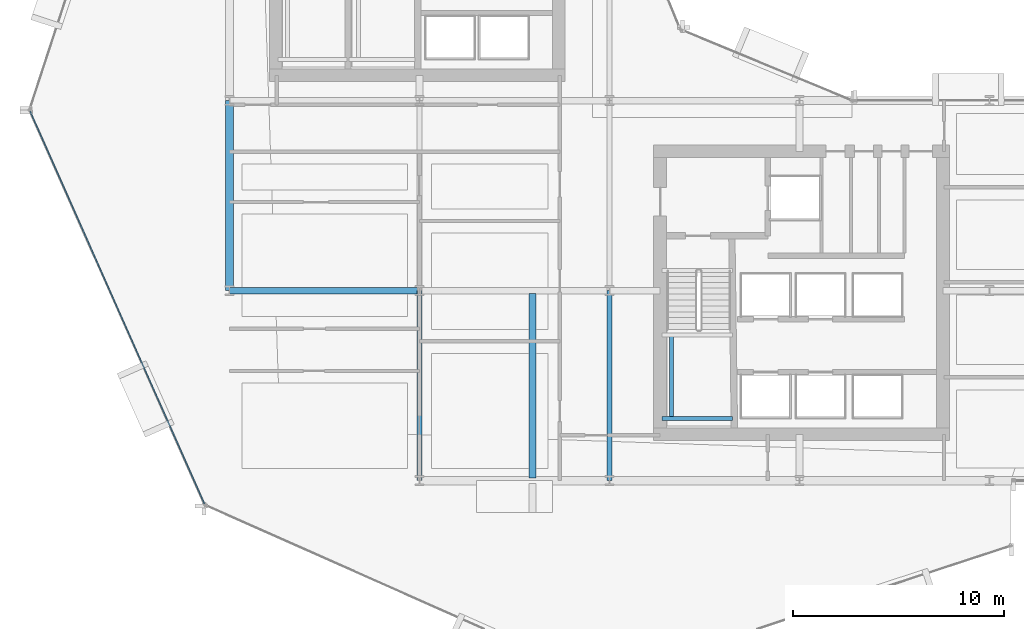
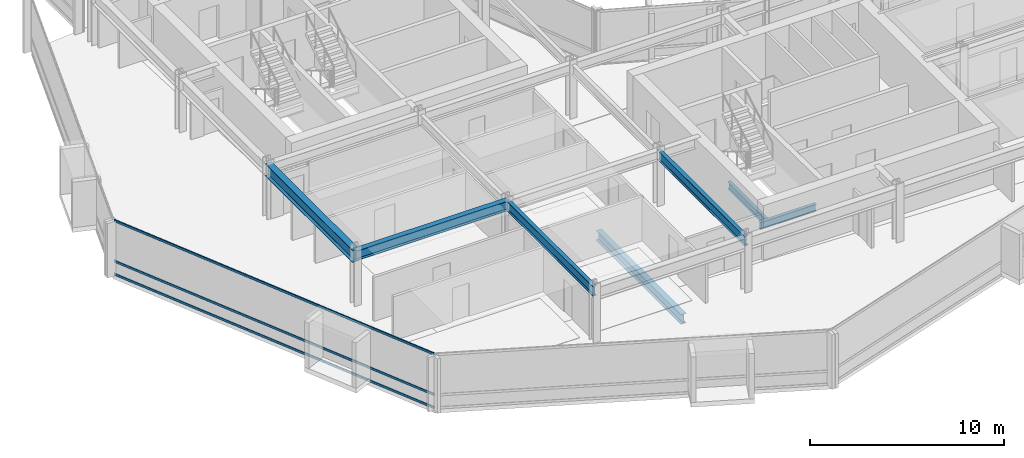
# One storey, part 5 of 34: 7 beams, 3 members, 1 element without a shape of its own.
"""IFC4 building model written with IfcOpenShell, lengths in metres."""

from ifc_helpers import new_model, si_unit, direction, frame, origin, origin_2d, place, context, subcontext, project, spatial, hollow_rectangle, i_section, extrude, material, layer, layer_set, material_profile, profile_set, type_object, element, aggregate, save


model = new_model("IFC4")

# Units and contexts
model_context = context("Model", 3, precision=1e-05, world=origin(), true_north=direction((0.0, 1.0)))
body_context = subcontext(model_context, "Body", "Model", "MODEL_VIEW")
ifc_project = project(units=[si_unit("LENGTHUNIT", "METRE"), si_unit("AREAUNIT", "SQUARE_METRE"), si_unit("VOLUMEUNIT", "CUBIC_METRE"), si_unit("PLANEANGLEUNIT", "RADIAN"), si_unit("MASSUNIT", "GRAM", prefix="KILO")], contexts=[model_context])

# Site, building, storey
site_placement = place(None, origin())
site = spatial("IfcSite", under=ifc_project, at=site_placement, CompositionType="ELEMENT")
building_placement = place(site_placement, origin())
building = spatial("IfcBuilding", under=site, at=building_placement, Name="Solvaryn Broadcast Tower", CompositionType="ELEMENT")
storey_placement = place(building_placement, frame((0.0, 0.0, 89.10009765625)))
storey = spatial("IfcBuildingStorey", under=building, at=storey_placement, Name="L21", CompositionType="ELEMENT", Elevation=89.10009765625)

# Beams
ifc_material_1 = material(Name="Steel ASTM A992 Grade 50", Category="steel")
ifc_material_profile_1 = material_profile(ifc_material_1, i_section(OverallWidth=0.323974609375, OverallDepth=0.611083984375, WebThickness=0.0126953125, FlangeThickness=0.01904296875, FilletRadius=0.014892578125, at=origin_2d()))
ifc_profile_set_1 = profile_set([ifc_material_profile_1], Name="Steel ASTM A992 Grade 50")
beam_type_1 = type_object("IfcBeamType", Name="BM-B1-W24X104", PredefinedType="BEAM", material=ifc_profile_set_1)
beam_1_placement = place(storey_placement, frame((23.35009765625, 17.875, -0.585693359375), z_axis=(0.0, -1.0, 0.0), x_axis=(1.0, 0.0, 0.0)))
element("IfcBeam", 1, at=beam_1_placement, inside=storey, type_object=beam_type_1, Name="L21 Bay-Box Back-Span Beam 1", PredefinedType="BEAM", context=body_context, shape_type="SweptSolid", body=[
    extrude(i_section(OverallWidth=0.323974609375, OverallDepth=0.611083984375, WebThickness=0.0126953125, FlangeThickness=0.01904296875, FilletRadius=0.014892578125, at=origin_2d()), origin(), (0.0, 0.0, 1.0), 8.75),
])
beam_2_placement = place(storey_placement, frame((9.0, 18.0, 3.114501953125), z_axis=(1.0, 0.0, 0.0), x_axis=(0.0, 1.0, 0.0)))
element("IfcBeam", 2, at=beam_2_placement, inside=storey, type_object=beam_type_1, Name="L21 Primary Beam X (9-18 @ Y=18)", PredefinedType="BEAM", context=body_context, shape_type="SweptSolid", body=[
    extrude(i_section(OverallWidth=0.323974609375, OverallDepth=0.611083984375, WebThickness=0.0126953125, FlangeThickness=0.01904296875, FilletRadius=0.014892578125, at=origin_2d()), origin(), (0.0, 0.0, 1.0), 9.0),
])
ifc_material_2 = material(Name="Steel ASTM A992 Grade 50", Category="steel")
ifc_material_profile_2 = material_profile(ifc_material_2, i_section(OverallWidth=0.22802734375, OverallDepth=0.60791015625, WebThickness=0.01123046875, FlangeThickness=0.017333984375, FilletRadius=0.014892578125, at=origin_2d()))
ifc_profile_set_2 = profile_set([ifc_material_profile_2], Name="Steel ASTM A992 Grade 50")
beam_type_2 = type_object("IfcBeamType", Name="BM-B2-W24X76", PredefinedType="BEAM", material=ifc_profile_set_2)
for number, where, z_axis, x_axis, name in (
    (3, (18.0, 9.0, 3.115966796875), (0.0, 1.0, 0.0), (-1.0, 0.0, 0.0), "L21 Primary Beam Y (9-18 @ X=18)"),
    (4, (27.0, 9.0, 3.115966796875), (0.0, 1.0, 0.0), (-1.0, 0.0, 0.0), "L21 Primary Beam Y (9-18 @ X=27)"),
):
    element("IfcBeam", number, at=place(storey_placement, frame(where, z_axis=z_axis, x_axis=x_axis)), inside=storey, type_object=beam_type_2, Name=name, PredefinedType="BEAM", context=body_context, shape_type="SweptSolid", body=[
        extrude(i_section(OverallWidth=0.22802734375, OverallDepth=0.60791015625, WebThickness=0.01123046875, FlangeThickness=0.017333984375, FilletRadius=0.014892578125, at=origin_2d()), origin(), (0.0, 0.0, 1.0), 9.0),
    ])
ifc_material_3 = material(Name="Steel ASTM A992 Grade 50", Category="steel")
ifc_material_profile_3 = material_profile(ifc_material_3, i_section(OverallWidth=0.18994140625, OverallDepth=0.45703125, WebThickness=0.009033203125, FlangeThickness=0.014404296875, FilletRadius=0.011962890625, at=origin_2d()))
ifc_profile_set_3 = profile_set([ifc_material_profile_3], Name="Steel ASTM A992 Grade 50")
beam_type_3 = type_object("IfcBeamType", Name="BM-B4-W18X50", PredefinedType="BEAM", material=ifc_profile_set_3)
beam_3_placement = place(storey_placement, frame((29.5, 11.949951171875, 1.42138671875), z_axis=(1.0, 0.0, 0.0), x_axis=(0.0, 1.0, 0.0)))
element("IfcBeam", 5, at=beam_3_placement, inside=storey, type_object=beam_type_3, Name="L21 ST3 Landing Support Beam 1A", PredefinedType="BEAM", context=body_context, shape_type="SweptSolid", body=[
    extrude(i_section(OverallWidth=0.18994140625, OverallDepth=0.45703125, WebThickness=0.009033203125, FlangeThickness=0.014404296875, FilletRadius=0.011962890625, at=origin_2d()), origin(), (0.0, 0.0, 1.0), 3.320068359375),
])
beam_4_placement = place(storey_placement, frame((29.949951171875, 11.949951171875, 1.42138671875), z_axis=(0.0, 1.0, 0.0), x_axis=(-1.0, 0.0, 0.0)))
element("IfcBeam", 6, at=beam_4_placement, inside=storey, type_object=beam_type_3, Name="L21 ST3 Landing Cross Stringer 1C", PredefinedType="BEAM", context=body_context, shape_type="SweptSolid", body=[
    extrude(i_section(OverallWidth=0.18994140625, OverallDepth=0.45703125, WebThickness=0.009033203125, FlangeThickness=0.014404296875, FilletRadius=0.011962890625, at=origin_2d()), origin(), (0.0, 0.0, 1.0), 3.9599609375),
])
ifc_material_4 = material(Name="Steel ASTM A992 Grade 50", Category="steel")
ifc_material_profile_4 = material_profile(ifc_material_4, i_section(OverallWidth=0.381103515625, OverallDepth=0.77294921875, WebThickness=0.0166015625, FlangeThickness=0.027099609375, FilletRadius=0.01806640625, at=origin_2d()))
ifc_profile_set_4 = profile_set([ifc_material_profile_4], Name="Steel ASTM A992 Grade 50")
beam_type_4 = type_object("IfcBeamType", Name="BM-SP1-W30X173", PredefinedType="USERDEFINED", material=ifc_profile_set_4)
beam_5_placement = place(storey_placement, frame((9.0, 18.0, 3.033447265625), z_axis=(0.0, 1.0, 0.0), x_axis=(-1.0, 0.0, 0.0)))
element("IfcBeam", 7, at=beam_5_placement, inside=storey, type_object=beam_type_4, Name="L21 Spandrel Beam Y (18-27 @ X=9)", ObjectType="SPANDREL", PredefinedType="USERDEFINED", context=body_context, shape_type="SweptSolid", body=[
    extrude(i_section(OverallWidth=0.381103515625, OverallDepth=0.77294921875, WebThickness=0.0166015625, FlangeThickness=0.027099609375, FilletRadius=0.01806640625, at=origin_2d()), origin(), (0.0, 0.0, 1.0), 9.0),
])

# Curtain wall, members
ifc_material_5 = material(Name="Aluminium and Terracotta Unitised Curtain Wall", Category="masonry")
ifc_layer = layer(ifc_material_5, 0.199951171875)
ifc_layer_set = layer_set([ifc_layer], Name="CW-SYS2-LOWMID")
curtain_wall_type = type_object("IfcCurtainWallType", Name="CW-SYS2-LOWMID", PredefinedType="NOTDEFINED", material=ifc_layer_set)
curtain_wall_placement = place(storey_placement, origin())
curtain_wall = element("IfcCurtainWall", 8, at=curtain_wall_placement, inside=storey, type_object=curtain_wall_type, Name="L21 Curtain Wall DR2", PredefinedType="NOTDEFINED")
ifc_material_6 = material(Name="Anodised Aluminium 6063-T6", Category="aluminium")
ifc_material_profile_5 = material_profile(ifc_material_6, hollow_rectangle(XDim=0.06494140625, YDim=0.14990234375, WallThickness=0.00390625, InnerFilletRadius=0.00390625, OuterFilletRadius=0.008056640625, at=origin_2d()))
ifc_profile_set_5 = profile_set([ifc_material_profile_5], Name="Anodised Aluminium 6063-T6")
member_type = type_object("IfcMemberType", Name="CW-TRN-150", PredefinedType="USERDEFINED", material=ifc_profile_set_5)
member_1_placement = place(storey_placement, frame((-0.439697265625, 26.505126953125, 0.02978515625), z_axis=(0.405905872269, -0.913914888191, 0.0), x_axis=(0.913914888191, 0.405905872269, 0.0)))
member_1 = element("IfcMember", 9, at=member_1_placement, type_object=member_type, Name="CWS2 transom 1.1", ObjectType="TRANSOM", PredefinedType="USERDEFINED", context=body_context, shape_type="SweptSolid", body=[
    extrude(hollow_rectangle(XDim=0.06494140625, YDim=0.14990234375, WallThickness=0.00390625, InnerFilletRadius=0.00390625, OuterFilletRadius=0.008056640625, at=origin_2d()), origin(), (0.0, 0.0, 1.0), 20.35546875),
])
member_2_placement = place(storey_placement, frame((-0.439697265625, 26.505126953125, 0.849853515625), z_axis=(0.405905872269, -0.913914888191, 0.0), x_axis=(0.913914888191, 0.405905872269, 0.0)))
member_2 = element("IfcMember", 10, at=member_2_placement, type_object=member_type, Name="CWS2 transom 1.2", ObjectType="TRANSOM", PredefinedType="USERDEFINED", context=body_context, shape_type="SweptSolid", body=[
    extrude(hollow_rectangle(XDim=0.06494140625, YDim=0.14990234375, WallThickness=0.00390625, InnerFilletRadius=0.00390625, OuterFilletRadius=0.008056640625, at=origin_2d()), origin(), (0.0, 0.0, 1.0), 20.35546875),
])
member_3_placement = place(storey_placement, frame((-0.439697265625, 26.505126953125, 3.389892578125), z_axis=(0.405905872269, -0.913914888191, 0.0), x_axis=(0.913914888191, 0.405905872269, 0.0)))
member_3 = element("IfcMember", 11, at=member_3_placement, type_object=member_type, Name="CWS2 transom 1.3", ObjectType="TRANSOM", PredefinedType="USERDEFINED", context=body_context, shape_type="SweptSolid", body=[
    extrude(hollow_rectangle(XDim=0.06494140625, YDim=0.14990234375, WallThickness=0.00390625, InnerFilletRadius=0.00390625, OuterFilletRadius=0.008056640625, at=origin_2d()), origin(), (0.0, 0.0, 1.0), 20.35546875),
])
aggregate(curtain_wall, [member_1, member_2, member_3])

save(model, "model.ifc")
